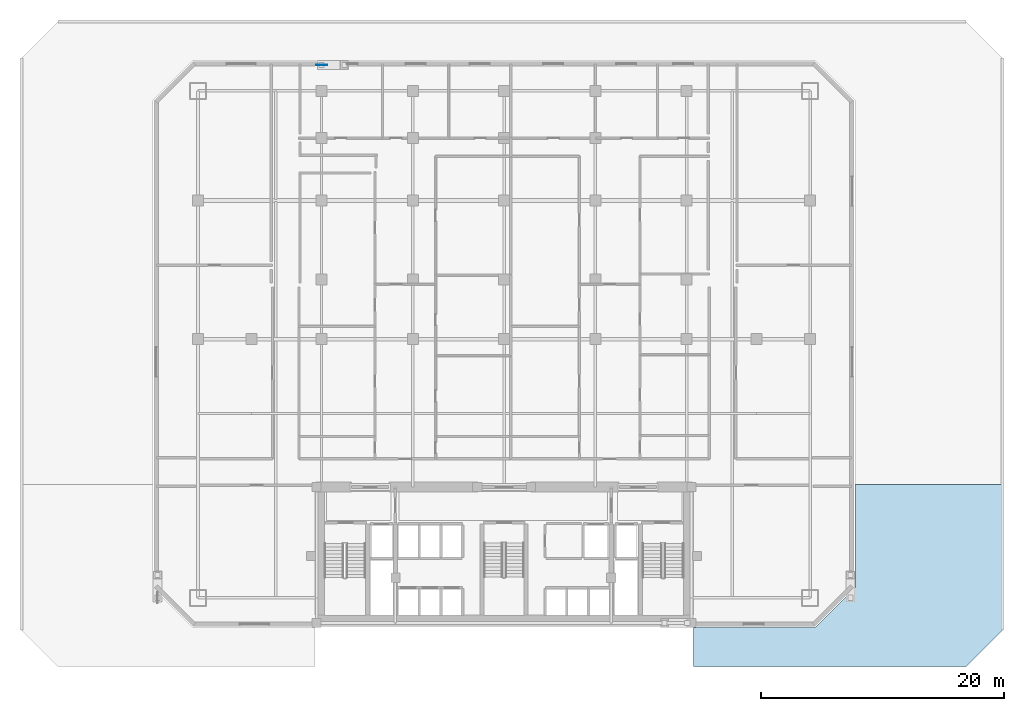
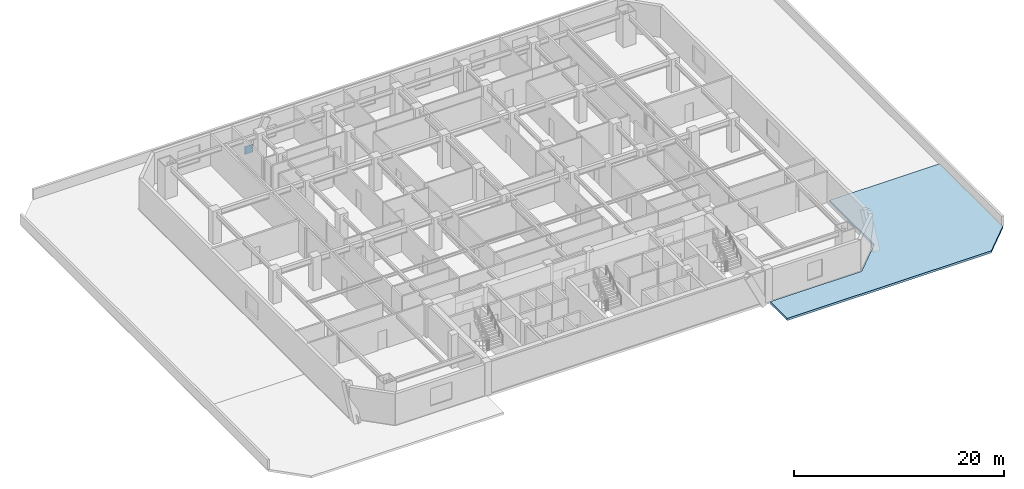
# One storey, part 4 of 11: 1 plate, 1 slab.
"""IFC4 building model written with IfcOpenShell, lengths in metres."""

from ifc_helpers import new_model, si_unit, direction, frame, origin, origin_2d, place, context, subcontext, project, spatial, polyline, rectangle, outline, extrude, material, layer, layer_set, type_object, element, save


model = new_model("IFC4")

# Units and contexts
model_context = context("Model", 3, precision=1e-05, world=origin(), true_north=direction((0.0, 1.0)))
body_context = subcontext(model_context, "Body", "Model", "MODEL_VIEW")
ifc_project = project(units=[si_unit("LENGTHUNIT", "METRE"), si_unit("AREAUNIT", "SQUARE_METRE"), si_unit("VOLUMEUNIT", "CUBIC_METRE"), si_unit("PLANEANGLEUNIT", "RADIAN"), si_unit("MASSUNIT", "GRAM", prefix="KILO")], contexts=[model_context])

# Site, building, storey
site_placement = place(None, origin())
site = spatial("IfcSite", under=ifc_project, at=site_placement, CompositionType="ELEMENT")
building_placement = place(site_placement, origin())
building = spatial("IfcBuilding", under=site, at=building_placement, Name="Ventersveld Concourse Tower", CompositionType="ELEMENT")
storey_placement = place(building_placement, frame((0.0, 0.0, 29.800048828125)))
storey = spatial("IfcBuildingStorey", under=building, at=storey_placement, Name="L06", CompositionType="ELEMENT", Elevation=29.800048828125)

# Plate
ifc_material_1 = material(Name="Structural steel S355J2", Category="steel")
ifc_layer_1 = layer(ifc_material_1, 0.030029296875)
ifc_layer_set_1 = layer_set([ifc_layer_1], Name="Structural steel S355J2")
plate_type = type_object("IfcPlateType", Name="PL-CAP-30", PredefinedType="USERDEFINED", material=ifc_layer_set_1)
plate_placement = place(storey_placement, frame((13.75, 46.1201171875, -0.10009765625), z_axis=(0.0, 0.0, 1.0), x_axis=(1.0, 0.0, 0.0)))
element("IfcPlate", 1, at=plate_placement, inside=storey, type_object=plate_type, Name="L06 Mega-Brace Gusset Node Plate M01-N", ObjectType="GUSSET_PLATE", PredefinedType="USERDEFINED", context=body_context, shape_type="SweptSolid", body=[
    extrude(rectangle(XDim=0.89990234375, YDim=0.030029296875, at=origin_2d()), origin(), (0.0, 0.0, 1.0), 0.89990234375),
])

# Slab
ifc_material_2 = material(Name="Concrete C50/60", Category="concrete")
ifc_layer_2 = layer(ifc_material_2, 0.25)
ifc_layer_set_2 = layer_set([ifc_layer_2], Name="Concrete C50/60")
slab_type = type_object("IfcSlabType", Name="SL-ROOF-250", PredefinedType="ROOF", material=ifc_layer_set_2)
slab_placement = place(storey_placement, frame((0.0, 0.0, -0.25)))
element("IfcSlab", 2, at=slab_placement, inside=storey, type_object=slab_type, Name="L06 Maintenance Setback Roof Slab E3", PredefinedType="ROOF", context=body_context, shape_type="SweptSolid", body=[
    extrude(outline(polyline([(69.699951171875, -0.300048828125), (66.699951171875, -3.300048828125), (44.300048828125, -3.300048828125), (44.300048828125, -0.080078125), (54.300048828125, -0.080078125), (54.307861328125, -0.07958984375), (54.315673828125, -0.07861328125), (54.3232421875, -0.07666015625), (54.33056640625, -0.073974609375), (54.337646484375, -0.070556640625), (54.344482421875, -0.06640625), (54.350830078125, -0.061767578125), (54.356689453125, -0.056640625), (57.556640625, 3.143310546875), (57.561767578125, 3.149169921875), (57.56640625, 3.155517578125), (57.570556640625, 3.162353515625), (57.573974609375, 3.16943359375), (57.57666015625, 3.1767578125), (57.57861328125, 3.184326171875), (57.57958984375, 3.192138671875), (57.580078125, 3.199951171875), (57.580078125, 11.64990234375), (69.699951171875, 11.64990234375), (69.699951171875, -0.300048828125)])), origin(), (0.0, 0.0, 1.0), 0.25),
])

save(model, "model.ifc")
